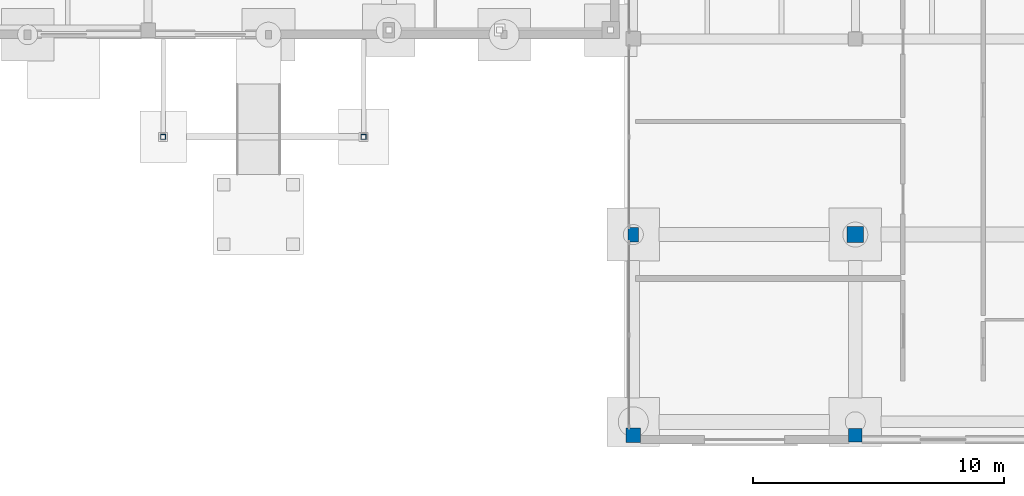
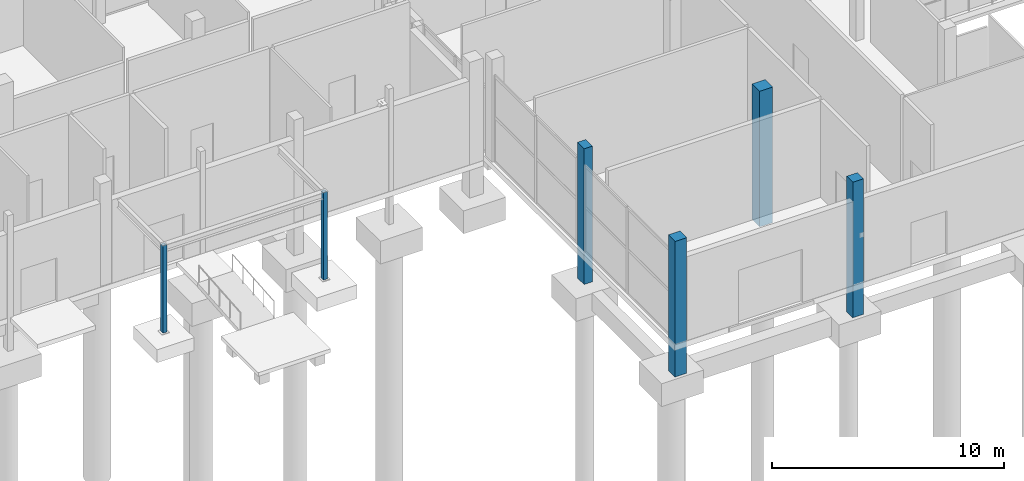
# One storey, part 8 of 88: 6 columns.
"""IFC4 building model written with IfcOpenShell, lengths in metres."""

from ifc_helpers import new_model, si_unit, direction, frame, origin, origin_2d, place, context, subcontext, project, spatial, rectangle, hollow_rectangle, extrude, material, material_profile, profile_set, type_object, element, save


model = new_model("IFC4")

# Units and contexts
model_context = context("Model", 3, precision=1e-05, world=origin(), true_north=direction((0.0, 1.0)))
body_context = subcontext(model_context, "Body", "Model", "MODEL_VIEW")
ifc_project = project(units=[si_unit("LENGTHUNIT", "METRE"), si_unit("AREAUNIT", "SQUARE_METRE"), si_unit("VOLUMEUNIT", "CUBIC_METRE"), si_unit("PLANEANGLEUNIT", "RADIAN"), si_unit("MASSUNIT", "GRAM", prefix="KILO")], contexts=[model_context])

# Site, building, storey
site_placement = place(None, origin())
site = spatial("IfcSite", under=ifc_project, at=site_placement, CompositionType="ELEMENT")
building_placement = place(site_placement, origin())
building = spatial("IfcBuilding", under=site, at=building_placement, Name="Birchvale Park Specialist Clinic", CompositionType="ELEMENT")
storey_placement = place(building_placement, origin())
storey = spatial("IfcBuildingStorey", under=building, at=storey_placement, Name="L00", CompositionType="ELEMENT", Elevation=0.0)

# Columns
ifc_material_1 = material(Name="Concrete C40/50", Category="concrete")
ifc_material_profile_1 = material_profile(ifc_material_1, rectangle(XDim=0.580078125, YDim=0.580078125, at=origin_2d()), Name="RC-580x580")
ifc_profile_set_1 = profile_set([ifc_material_profile_1], Name="Concrete C40/50")
column_type_1 = type_object("IfcColumnType", Name="COL-EXT-C03", PredefinedType="COLUMN", material=ifc_profile_set_1)
column_1_placement = place(storey_placement, frame((119.14990234375, 1.0, -1.75), z_axis=(0.0, 0.0, 1.0), x_axis=(1.0, 0.0, 0.0)))
element("IfcColumn", 1, at=column_1_placement, inside=storey, type_object=column_type_1, Name="V5 L00 column 1", PredefinedType="COLUMN", context=body_context, shape_type="SweptSolid", body=[
    extrude(rectangle(XDim=0.580078125, YDim=0.580078125, at=origin_2d()), origin(), (0.0, 0.0, 1.0), 7.14990234375),
])
ifc_material_profile_2 = material_profile(ifc_material_1, rectangle(XDim=0.530029296875, YDim=0.530029296875, at=origin_2d()), Name="RC-530x530")
ifc_profile_set_2 = profile_set([ifc_material_profile_2], Name="Concrete C40/50")
column_type_2 = type_object("IfcColumnType", Name="COL-EXT-C04", PredefinedType="COLUMN", material=ifc_profile_set_2)
column_2_placement = place(storey_placement, frame((128.0, 1.0, -1.75), z_axis=(0.0, 0.0, 1.0), x_axis=(1.0, 0.0, 0.0)))
element("IfcColumn", 2, at=column_2_placement, inside=storey, type_object=column_type_2, Name="V5 L00 column 7", PredefinedType="COLUMN", context=body_context, shape_type="SweptSolid", body=[
    extrude(rectangle(XDim=0.530029296875, YDim=0.530029296875, at=origin_2d()), origin(), (0.0, 0.0, 1.0), 7.14990234375),
])
ifc_material_profile_3 = material_profile(ifc_material_1, rectangle(XDim=0.419921875, YDim=0.580078125, at=origin_2d()), Name="RC-420x580")
ifc_profile_set_3 = profile_set([ifc_material_profile_3], Name="Concrete C40/50")
column_type_3 = type_object("IfcColumnType", Name="COL-EXT-C10", PredefinedType="COLUMN", material=ifc_profile_set_3)
column_3_placement = place(storey_placement, frame((119.14990234375, 9.0, -1.75), z_axis=(0.0, 0.0, 1.0), x_axis=(1.0, 0.0, 0.0)))
element("IfcColumn", 3, at=column_3_placement, inside=storey, type_object=column_type_3, Name="V5 L00 column 2", PredefinedType="COLUMN", context=body_context, shape_type="SweptSolid", body=[
    extrude(rectangle(XDim=0.419921875, YDim=0.580078125, at=origin_2d()), origin(), (0.0, 0.0, 1.0), 7.14990234375),
])
ifc_material_profile_4 = material_profile(ifc_material_1, rectangle(XDim=0.64990234375, YDim=0.64990234375, at=origin_2d()), Name="RC-650x650")
ifc_profile_set_4 = profile_set([ifc_material_profile_4], Name="Concrete C40/50")
column_type_4 = type_object("IfcColumnType", Name="COL-INT-C02", PredefinedType="COLUMN", material=ifc_profile_set_4)
column_4_placement = place(storey_placement, frame((128.0, 9.0, -1.75), z_axis=(0.0, 0.0, 1.0), x_axis=(1.0, 0.0, 0.0)))
element("IfcColumn", 4, at=column_4_placement, inside=storey, type_object=column_type_4, Name="V5 L00 column 8", PredefinedType="COLUMN", context=body_context, shape_type="SweptSolid", body=[
    extrude(rectangle(XDim=0.64990234375, YDim=0.64990234375, at=origin_2d()), origin(), (0.0, 0.0, 1.0), 7.14990234375),
])
ifc_material_2 = material(Name="Steel ASTM A500 Grade C", Category="steel")
ifc_material_profile_5 = material_profile(ifc_material_2, hollow_rectangle(XDim=0.199951171875, YDim=0.199951171875, WallThickness=0.010009765625, at=origin_2d()), Name="HSS200X200X10")
ifc_profile_set_5 = profile_set([ifc_material_profile_5], Name="Steel ASTM A500 Grade C")
column_type_5 = type_object("IfcColumnType", Name="COL-STL-SC3", PredefinedType="COLUMN", material=ifc_profile_set_5)
for number, where, z_axis, x_axis, name in (
    (5, (100.39990234375, 12.89990234375, -0.27197265625), (0.0, 0.0, 1.0), (1.0, 0.0, 0.0), "L00 entrance canopy column 5"),
    (6, (108.39990234375, 12.89990234375, -0.27197265625), (0.0, 0.0, 1.0), (1.0, 0.0, 0.0), "L00 entrance canopy column 6"),
):
    element("IfcColumn", number, at=place(storey_placement, frame(where, z_axis=z_axis, x_axis=x_axis)), inside=storey, type_object=column_type_5, Name=name, PredefinedType="COLUMN", context=body_context, shape_type="SweptSolid", body=[
        extrude(hollow_rectangle(XDim=0.199951171875, YDim=0.199951171875, WallThickness=0.010009765625, at=origin_2d()), origin(), (0.0, 0.0, 1.0), 4.599853515625),
    ])

save(model, "model.ifc")
